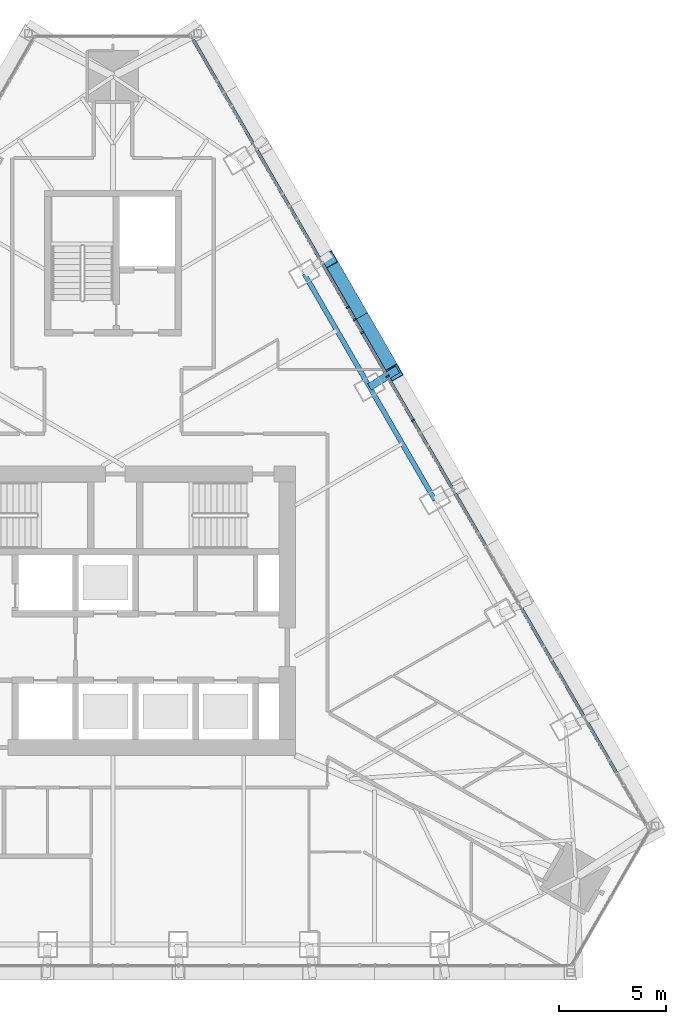
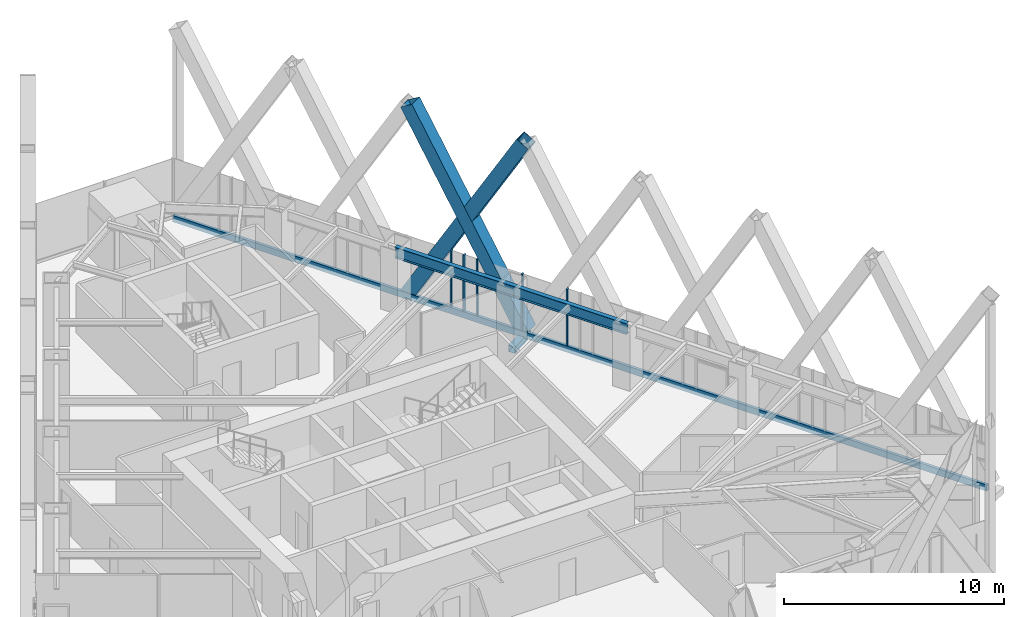
# One storey, part 8 of 23: 9 members, 1 beam, 1 element without a shape of its own.
"""IFC4 building model written with IfcOpenShell, lengths in metres."""

from ifc_helpers import new_model, si_unit, direction, frame, origin, origin_2d, place, context, subcontext, project, spatial, rectangle, hollow_rectangle, i_section, extrude, material, layer, layer_set, material_profile, profile_set, type_object, element, aggregate, save


model = new_model("IFC4")

# Units and contexts
model_context = context("Model", 3, precision=1e-05, world=origin(), true_north=direction((0.0, 1.0)))
body_context = subcontext(model_context, "Body", "Model", "MODEL_VIEW")
ifc_project = project(units=[si_unit("LENGTHUNIT", "METRE"), si_unit("AREAUNIT", "SQUARE_METRE"), si_unit("VOLUMEUNIT", "CUBIC_METRE"), si_unit("PLANEANGLEUNIT", "RADIAN"), si_unit("MASSUNIT", "GRAM", prefix="KILO")], contexts=[model_context])

# Site, building, storey
site_placement = place(None, origin())
site = spatial("IfcSite", under=ifc_project, at=site_placement, CompositionType="ELEMENT")
building_placement = place(site_placement, origin())
building = spatial("IfcBuilding", under=site, at=building_placement, Name="Firuza Gate Tower and Library", CompositionType="ELEMENT")
storey_placement = place(building_placement, frame((0.0, 0.0, 302.10009765625)))
storey = spatial("IfcBuildingStorey", under=building, at=storey_placement, Name="L73", CompositionType="ELEMENT", Elevation=302.10009765625)

# Members
ifc_material_1 = material(Name="Steel S355", Category="steel")
ifc_material_profile_1 = material_profile(ifc_material_1, hollow_rectangle(XDim=0.699951171875, YDim=0.699951171875, WallThickness=0.030029296875, at=origin_2d()))
ifc_profile_set_1 = profile_set([ifc_material_profile_1], Name="Steel S355")
member_type_1 = type_object("IfcMemberType", Name="BU700x700x30 Lattice brace", PredefinedType="BRACE", material=ifc_profile_set_1)
for number, where, z_axis, x_axis, name in (
    (1, (88.09033203125, 86.077392578125, 0.0), (-0.251032405124, 0.434822551138, 0.864819102818), (-0.866036194175, -0.49998131003, 0.0), "Lattice brace E 19.5R"),
    (2, (85.04248046875, 91.356689453125, 0.0), (0.251032405124, -0.434822551138, 0.864819102818), (0.866036194175, 0.49998131003, 0.0), "Lattice brace E 19.5L"),
):
    element("IfcMember", number, at=place(storey_placement, frame(where, z_axis=z_axis, x_axis=x_axis)), inside=storey, type_object=member_type_1, Name=name, PredefinedType="BRACE", context=body_context, shape_type="SweptSolid", body=[
        extrude(hollow_rectangle(XDim=0.699951171875, YDim=0.699951171875, WallThickness=0.030029296875, at=origin_2d()), origin(), (0.0, 0.0, 1.0), 12.141357421875),
    ])

# Curtain wall, members
ifc_material_2 = material(Name="Aluminium 6063-T6", Category="aluminium")
ifc_layer = layer(ifc_material_2, 0.14990234375)
ifc_layer_set = layer_set([ifc_layer], Name="Unitised curtain wall, residences")
curtain_wall_type = type_object("IfcCurtainWallType", Name="Unitised curtain wall, residences", PredefinedType="NOTDEFINED", material=ifc_layer_set)
curtain_wall_placement = place(storey_placement, origin())
curtain_wall = element("IfcCurtainWall", 3, at=curtain_wall_placement, inside=storey, type_object=curtain_wall_type, Name="CW3 L73 E face", PredefinedType="NOTDEFINED")
ifc_material_3 = material(Name="Aluminium 6063-T6", Category="aluminium")
ifc_material_profile_2 = material_profile(ifc_material_3, rectangle(XDim=0.14990234375, YDim=0.080078125, at=origin_2d()))
ifc_profile_set_2 = profile_set([ifc_material_profile_2], Name="Aluminium 6063-T6")
member_type_2 = type_object("IfcMemberType", Name="Curtain wall mullion 80x150", PredefinedType="MULLION", material=ifc_profile_set_2)
member_1_placement = place(storey_placement, frame((87.805908203125, 85.920166015625, 0.14990234375), z_axis=(0.0, 0.0, 1.0), x_axis=(-0.866025403784, -0.5, 0.0)))
member_1 = element("IfcMember", 4, at=member_1_placement, type_object=member_type_2, Name="Mullion", PredefinedType="MULLION", context=body_context, shape_type="SweptSolid", body=[
    extrude(rectangle(XDim=0.14990234375, YDim=0.080078125, at=origin_2d()), origin(), (0.0, 0.0, 1.0), 3.14990234375),
])
member_2_placement = place(storey_placement, frame((86.27880859375, 88.565185546875, 0.14990234375), z_axis=(0.0, 0.0, 1.0), x_axis=(-0.866025403784, -0.5, 0.0)))
member_2 = element("IfcMember", 5, at=member_2_placement, type_object=member_type_2, Name="Mullion", PredefinedType="MULLION", context=body_context, shape_type="SweptSolid", body=[
    extrude(rectangle(XDim=0.14990234375, YDim=0.080078125, at=origin_2d()), origin(), (0.0, 0.0, 1.0), 3.14990234375),
])
member_3_placement = place(storey_placement, frame((88.99169921875, 83.8662109375, 0.14990234375), z_axis=(0.0, 0.0, 1.0), x_axis=(-0.866025403784, -0.5, 0.0)))
member_3 = element("IfcMember", 6, at=member_3_placement, type_object=member_type_2, Name="Mullion", PredefinedType="MULLION", context=body_context, shape_type="SweptSolid", body=[
    extrude(rectangle(XDim=0.14990234375, YDim=0.080078125, at=origin_2d()), origin(), (0.0, 0.0, 1.0), 3.14990234375),
])
member_4_placement = place(storey_placement, frame((86.626220703125, 87.96337890625, 0.14990234375), z_axis=(0.0, 0.0, 1.0), x_axis=(-0.866025403784, -0.5, 0.0)))
member_4 = element("IfcMember", 7, at=member_4_placement, type_object=member_type_2, Name="Mullion", PredefinedType="MULLION", context=body_context, shape_type="SweptSolid", body=[
    extrude(rectangle(XDim=0.14990234375, YDim=0.080078125, at=origin_2d()), origin(), (0.0, 0.0, 1.0), 3.14990234375),
])
member_5_placement = place(storey_placement, frame((85.94384765625, 89.1455078125, 0.14990234375), z_axis=(0.0, 0.0, 1.0), x_axis=(-0.866025403784, -0.5, 0.0)))
member_5 = element("IfcMember", 8, at=member_5_placement, type_object=member_type_2, Name="Mullion", PredefinedType="MULLION", context=body_context, shape_type="SweptSolid", body=[
    extrude(rectangle(XDim=0.14990234375, YDim=0.080078125, at=origin_2d()), origin(), (0.0, 0.0, 1.0), 3.14990234375),
])
ifc_material_4 = material(Name="Aluminium 6063-T6", Category="aluminium")
ifc_material_profile_3 = material_profile(ifc_material_4, rectangle(XDim=0.14990234375, YDim=0.35009765625, at=origin_2d()))
ifc_profile_set_3 = profile_set([ifc_material_profile_3], Name="Aluminium 6063-T6")
member_type_3 = type_object("IfcMemberType", Name="Curtain wall transom 350x150", PredefinedType="USERDEFINED", material=ifc_profile_set_3)
member_6_placement = place(storey_placement, frame((100.022705078125, 64.760009765625, -0.025146484375), z_axis=(-0.500001704016, 0.866024419968, 0.0), x_axis=(-0.866024419968, -0.500001704016, 0.0)))
member_6 = element("IfcMember", 9, at=member_6_placement, type_object=member_type_3, Name="Transom", ObjectType="TRANSOM", PredefinedType="USERDEFINED", context=body_context, shape_type="SweptSolid", body=[
    extrude(rectangle(XDim=0.14990234375, YDim=0.35009765625, at=origin_2d()), origin(), (0.0, 0.0, 1.0), 42.758544921875),
])
aggregate(curtain_wall, [member_1, member_2, member_6, member_3, member_4, member_5])

# Member
ifc_material_5 = material(Name="Steel S355", Category="steel")
ifc_material_profile_4 = material_profile(ifc_material_5, hollow_rectangle(XDim=0.355712890625, YDim=0.355712890625, WallThickness=0.014892578125, at=origin_2d()))
ifc_profile_set_4 = profile_set([ifc_material_profile_4], Name="Steel S355")
member_type_4 = type_object("IfcMemberType", Name="HSS356x356x16 Lattice node tie", PredefinedType="BRACE", material=ifc_profile_set_4)
member_7_placement = place(storey_placement, frame((86.964599609375, 85.42724609375, -0.320068359375), z_axis=(0.846317648608, 0.532678550024, 0.0), x_axis=(-0.532678550024, 0.846317648608, 0.0)))
element("IfcMember", 10, at=member_7_placement, inside=storey, type_object=member_type_4, Name="Lattice node tie E L73 503", PredefinedType="BRACE", context=body_context, shape_type="SweptSolid", body=[
    extrude(hollow_rectangle(XDim=0.355712890625, YDim=0.355712890625, WallThickness=0.014892578125, at=origin_2d()), origin(), (0.0, 0.0, 1.0), 1.5380859375),
])

# Beam
ifc_material_6 = material(Name="Steel S355", Category="steel")
ifc_material_profile_5 = material_profile(ifc_material_6, i_section(OverallWidth=0.22900390625, OverallDepth=0.612060546875, WebThickness=0.011962890625, FlangeThickness=0.01953125, at=origin_2d()))
ifc_profile_set_5 = profile_set([ifc_material_profile_5], Name="Steel S355")
beam_type = type_object("IfcBeamType", Name="W610x125 Edge beam", PredefinedType="SPANDREL", material=ifc_profile_set_5)
beam_placement = place(storey_placement, frame((90.0126953125, 80.14794921875, 2.993896484375), z_axis=(-0.500011347202, 0.866018852375, 0.0), x_axis=(-0.866018852375, -0.500011347202, 0.0)))
element("IfcBeam", 11, at=beam_placement, inside=storey, type_object=beam_type, Name="Edge beam L73 e52", PredefinedType="SPANDREL", context=body_context, shape_type="SweptSolid", body=[
    extrude(i_section(OverallWidth=0.22900390625, OverallDepth=0.612060546875, WebThickness=0.011962890625, FlangeThickness=0.01953125, at=origin_2d()), origin(), (0.0, 0.0, 1.0), 12.192138671875),
])

save(model, "model.ifc")
